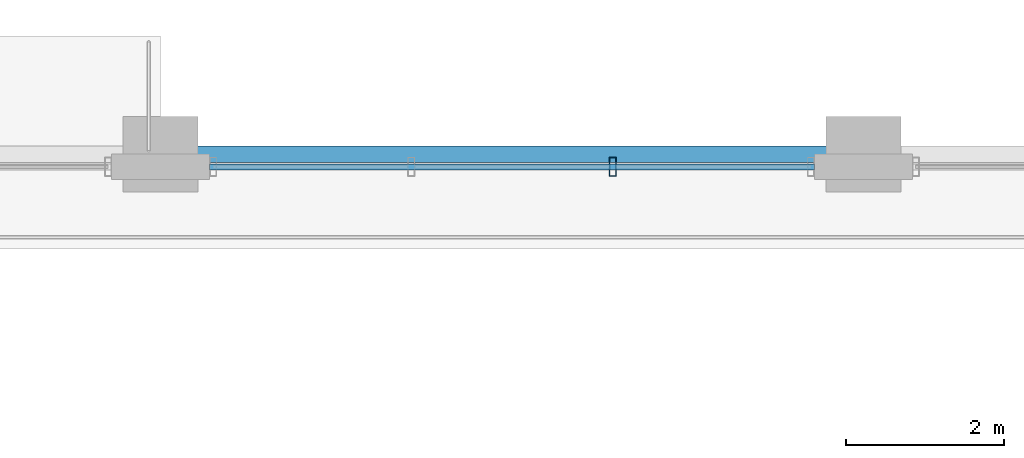
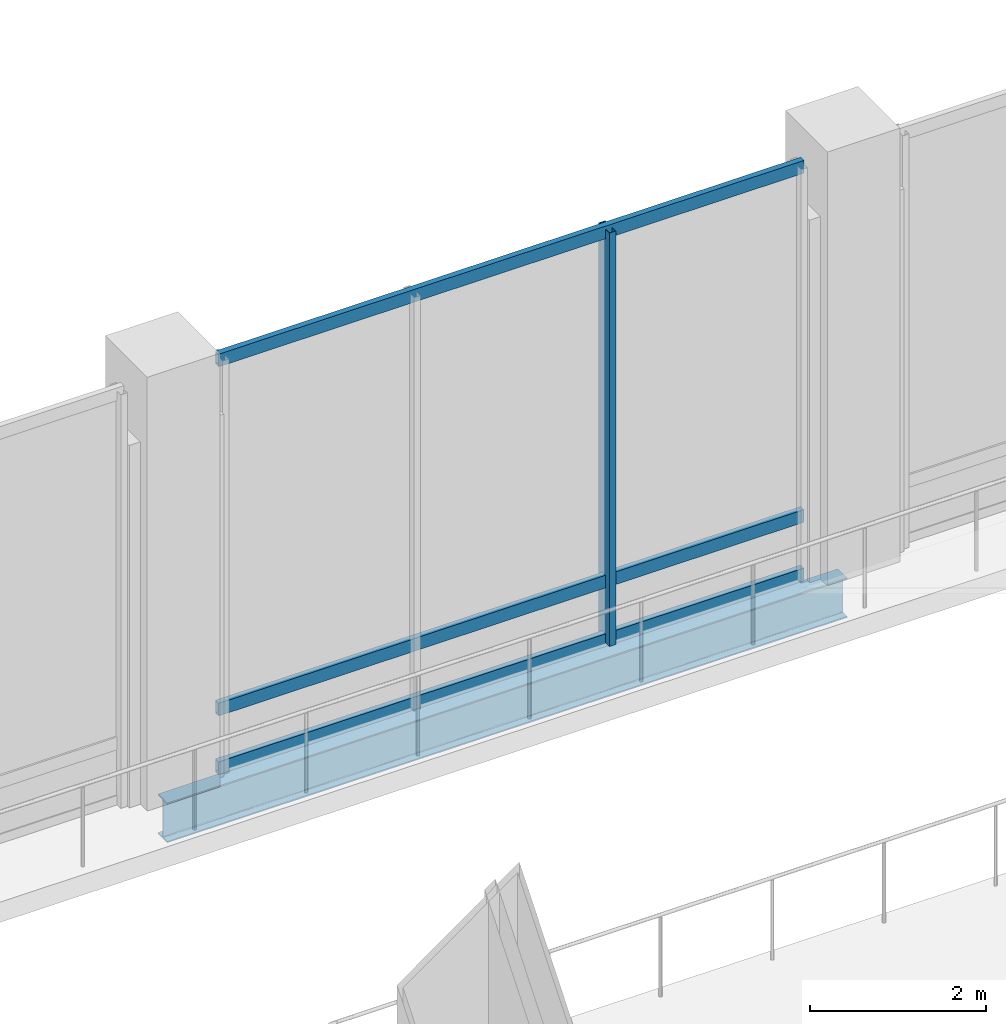
# One storey, part 13 of 32: 4 members, 1 beam, 1 element without a shape of its own.
"""IFC4 building model written with IfcOpenShell, lengths in metres."""

import ifcopenshell
import ifcopenshell.guid

model = None  # the IFC model being written
_history = None  # IfcOwnerHistory: only IFC2X3 demands one
_inside = {}  # id of a spatial element -> (the spatial element, [elements in it])
_under = {}  # id of a project, library or spatial element -> (it, [spatial elements below it])
_declared = {}  # id of a project -> (the project, [libraries it declares])
_typed = {}  # id of a type object -> (the type object, [elements of that type])
_made_of = {}  # id of a material, layer set ... -> (it, [elements and type objects made of it])


def new_model(schema):
    """Start an empty IFC model of exactly this schema.

    Asked for "IFC4X3", IfcOpenShell would pick the latest addendum, in which some entities
    have other attributes; the version numbers below select the first issue.
    IFC2X3 requires an IfcOwnerHistory on every rooted entity: one is made here for all.
    """
    global model, _history
    if schema == "IFC4X3":
        model = ifcopenshell.file(schema_version=(4, 3, 0, 0))
    else:
        model = ifcopenshell.file(schema=schema)
    _inside.clear()
    _under.clear()
    _declared.clear()
    _typed.clear()
    _made_of.clear()
    _history = None
    if model.schema == "IFC2X3":
        org = make("IfcOrganization", Name="unknown")
        user = make(
            "IfcPersonAndOrganization",
            ThePerson=make("IfcPerson", FamilyName="unknown"),
            TheOrganization=org,
        )
        app = make(
            "IfcApplication",
            ApplicationDeveloper=org,
            Version="unknown",
            ApplicationFullName="unknown",
            ApplicationIdentifier="unknown",
        )
        _history = make(
            "IfcOwnerHistory",
            OwningUser=user,
            OwningApplication=app,
            ChangeAction="ADDED",
            CreationDate=0,
        )
    return model


def make(cls, **values):
    """One entity of the class cls with the attributes given. An attribute that is None is left unset."""
    return model.create_entity(
        cls, **{name: value for name, value in values.items() if value is not None}
    )


def rooted(cls, **values):
    """An entity with a GlobalId (a new one), such as an element, a storey or a relation."""
    return make(cls, GlobalId=ifcopenshell.guid.new(), OwnerHistory=_history, **values)


def si_unit(unit_type, name, prefix=None):
    """IfcSIUnit, for example si_unit("LENGTHUNIT", "METRE", prefix="MILLI")."""
    return make("IfcSIUnit", UnitType=unit_type, Prefix=prefix, Name=name)


def assignment(units):
    """IfcUnitAssignment: the units of a project."""
    return None if units is None else make("IfcUnitAssignment", Units=units)


def point(xyz):
    """IfcCartesianPoint."""
    return None if xyz is None else make("IfcCartesianPoint", Coordinates=xyz)


def direction(xyz):
    """IfcDirection."""
    return None if xyz is None else make("IfcDirection", DirectionRatios=xyz)


def frame(location, z_axis=None, x_axis=None):
    """IfcAxis2Placement3D, a coordinate frame: its origin and axes. An axis left out is left unset."""
    return make(
        "IfcAxis2Placement3D",
        Location=point(location),
        Axis=direction(z_axis),
        RefDirection=direction(x_axis),
    )


def frame_2d(location, x_axis=None):
    """IfcAxis2Placement2D, a coordinate frame in the plane: its origin and x axis."""
    return make(
        "IfcAxis2Placement2D", Location=point(location), RefDirection=direction(x_axis)
    )


def origin():
    """The frame at (0, 0, 0) with its axes left unset."""
    return frame((0.0, 0.0, 0.0))


def origin_2d():
    """The frame at (0, 0) in the plane with its x axis left unset."""
    return frame_2d((0.0, 0.0))


def place(relative_to, where):
    """IfcLocalPlacement: puts the frame where relative to a parent placement (None: the world)."""
    return make(
        "IfcLocalPlacement", PlacementRelTo=relative_to, RelativePlacement=where
    )


def context(
    kind, dimensions, precision=None, world=None, true_north=None, identifier=None
):
    """IfcGeometricRepresentationContext, for example the 3D "Model" context."""
    return make(
        "IfcGeometricRepresentationContext",
        ContextIdentifier=identifier,
        ContextType=kind,
        CoordinateSpaceDimension=dimensions,
        Precision=precision,
        WorldCoordinateSystem=world,
        TrueNorth=true_north,
    )


def subcontext(parent, identifier, kind, view, scale=None):
    """IfcGeometricRepresentationSubContext, for example "Body" below "Model"."""
    return make(
        "IfcGeometricRepresentationSubContext",
        ContextIdentifier=identifier,
        ContextType=kind,
        ParentContext=parent,
        TargetScale=scale,
        TargetView=view,
    )


def project(units=None, contexts=None):
    """IfcProject with its units and contexts."""
    return rooted(
        "IfcProject",
        Name="project",
        RepresentationContexts=contexts,
        UnitsInContext=assignment(units),
    )


def spatial(cls, under=None, at=None, **own):
    """A site, building, storey or space (cls), placed at a placement, below another one or the project."""
    s = rooted(cls, ObjectPlacement=at, **own)
    if under is not None:
        _under.setdefault(under.id(), (under, []))[1].append(s)
    return s


def profile(cls, at=None, kind="AREA", **sizes):
    """A parametric profile (cls). Its sizes go by their IFC names, for example OverallWidth=200.0."""
    return make(cls, ProfileType=kind, Position=at, **sizes)


def hollow_rectangle(**sizes):
    """IfcRectangleHollowProfileDef."""
    return profile("IfcRectangleHollowProfileDef", **sizes)


def i_section(**sizes):
    """IfcIShapeProfileDef."""
    return profile("IfcIShapeProfileDef", **sizes)


def extrude(swept, where, along, depth):
    """IfcExtrudedAreaSolid: the profile swept, set in the frame where, extruded along a direction by depth."""
    return make(
        "IfcExtrudedAreaSolid",
        SweptArea=swept,
        Position=where,
        ExtrudedDirection=direction(along),
        Depth=depth,
    )


def shape(context_of_items, identifier, shape_type, items):
    """IfcShapeRepresentation: the items that make up one representation, for example the "Body"."""
    return make(
        "IfcShapeRepresentation",
        ContextOfItems=context_of_items,
        RepresentationIdentifier=identifier,
        RepresentationType=shape_type,
        Items=items,
    )


def material(Name=None, Category=None):
    """IfcMaterial."""
    return make("IfcMaterial", Name=Name, Category=Category)


def material_profile(
    of_material, cross_section, Name=None, Category=None, Priority=None
):
    """IfcMaterialProfile: a cross section and its material."""
    return make(
        "IfcMaterialProfile",
        Name=Name,
        Material=of_material,
        Profile=cross_section,
        Priority=Priority,
        Category=Category,
    )


def profile_set(profiles, Name=None, composite=None):
    """IfcMaterialProfileSet."""
    return make(
        "IfcMaterialProfileSet",
        Name=Name,
        MaterialProfiles=profiles,
        CompositeProfile=composite,
    )


def made_of(thing, what):
    """Note that an element or type object is made of a material, layer set ...; save() writes the relation."""
    if what is not None:
        _made_of.setdefault(what.id(), (what, []))[1].append(thing)
    return thing


def type_object(cls, material=None, **own):
    """A type object (cls), such as IfcWallType, which elements share."""
    return made_of(rooted(cls, **own), material)


def element(
    cls,
    number,
    at=None,
    inside=None,
    cuts=None,
    type_object=None,
    material=None,
    context=None,
    identifier="Body",
    shape_type=None,
    held_by="IfcProductDefinitionShape",
    body=None,
    shapes=None,
    **own,
):
    """One element of the class cls, such as IfcWall. Its Tag is "e" and its number.

    at: its placement. inside: the storey or other place that contains it. cuts: it is an
    opening in that element (IfcRelVoidsElement). A single representation is given by context,
    identifier, shape_type and body (its items); several are given by shapes. held_by: the class
    of the entity that holds the representations. save() writes the other relations.
    """
    e = rooted(cls, Tag="e%d" % number, ObjectPlacement=at, **own)
    if body is not None:
        shapes = [shape(context, identifier, shape_type, body)]
    if shapes is not None:
        e.Representation = make(held_by, Representations=shapes)
    if inside is not None:
        _inside.setdefault(inside.id(), (inside, []))[1].append(e)
    if cuts is not None:
        rooted(
            "IfcRelVoidsElement", RelatingBuildingElement=cuts, RelatedOpeningElement=e
        )
    if type_object is not None:
        _typed.setdefault(type_object.id(), (type_object, []))[1].append(e)
    return made_of(e, material)


def aggregate(whole, parts):
    """IfcRelAggregates: a whole, such as a stair, and the parts it consists of."""
    return rooted("IfcRelAggregates", RelatingObject=whole, RelatedObjects=parts)


def save(model, path):
    """Write the relations noted so far, then the file.

    IfcRelAggregates (storeys below a building ...), IfcRelContainedInSpatialStructure (elements
    in a storey), IfcRelDefinesByType, IfcRelAssociatesMaterial and IfcRelDeclares: one each for
    every whole, place, type object, material and project.
    """
    for whole, parts in _under.values():
        aggregate(whole, parts)
    for where, things in _inside.values():
        rooted(
            "IfcRelContainedInSpatialStructure",
            RelatedElements=things,
            RelatingStructure=where,
        )
    for kind, things in _typed.values():
        rooted("IfcRelDefinesByType", RelatedObjects=things, RelatingType=kind)
    for what, things in _made_of.values():
        rooted("IfcRelAssociatesMaterial", RelatedObjects=things, RelatingMaterial=what)
    for by, libraries in _declared.values():
        rooted("IfcRelDeclares", RelatingContext=by, RelatedDefinitions=libraries)
    model.write(path)


model = new_model("IFC4")

# Units and contexts
model_context = context("Model", 3, precision=1e-05, world=origin(), true_north=direction((0.0, 1.0)))
body_context = subcontext(model_context, "Body", "Model", "MODEL_VIEW")
ifc_project = project(units=[si_unit("LENGTHUNIT", "METRE"), si_unit("AREAUNIT", "SQUARE_METRE"), si_unit("VOLUMEUNIT", "CUBIC_METRE"), si_unit("PLANEANGLEUNIT", "RADIAN"), si_unit("MASSUNIT", "GRAM", prefix="KILO")], contexts=[model_context])

# Site, building, storey
site_placement = place(None, origin())
site = spatial("IfcSite", under=ifc_project, at=site_placement, CompositionType="ELEMENT")
building_placement = place(site_placement, origin())
building = spatial("IfcBuilding", under=site, at=building_placement, Name="Punatoya Terracotta Tower", CompositionType="ELEMENT")
storey_placement = place(building_placement, origin())
storey = spatial("IfcBuildingStorey", under=building, at=storey_placement, Name="L00", CompositionType="ELEMENT", Elevation=0.0)

# Beam
ifc_material_1 = material(Name="Steel S355", Category="steel")
ifc_material_profile_1 = material_profile(ifc_material_1, i_section(OverallWidth=0.2099609375, OverallDepth=0.550048828125, WebThickness=0.010986328125, FlangeThickness=0.01708984375, FilletRadius=0.01806640625, at=origin_2d()))
ifc_profile_set_1 = profile_set([ifc_material_profile_1], Name="Steel S355")
beam_type = type_object("IfcBeamType", Name="BM-SPN-550", PredefinedType="SPANDREL", material=ifc_profile_set_1)
beam_placement = place(storey_placement, frame((19.10009765625, 25.0, -0.554931640625), z_axis=(1.0, 0.0, 0.0), x_axis=(0.0, 1.0, 0.0)))
element("IfcBeam", 1, at=beam_placement, inside=storey, type_object=beam_type, Name="BM-L00-HE1", PredefinedType="SPANDREL", context=body_context, shape_type="SweptSolid", body=[
    extrude(i_section(OverallWidth=0.2099609375, OverallDepth=0.550048828125, WebThickness=0.010986328125, FlangeThickness=0.01708984375, FilletRadius=0.01806640625, at=origin_2d()), origin(), (0.0, 0.0, 1.0), 8.89990234375),
])

# Curtain wall, members
ifc_material_2 = material(Name="Aluminium 6063-T6 + Double Low-E Glass", Category="aluminium")
curtain_wall_type = type_object("IfcCurtainWallType", Name="CW-POD", PredefinedType="NOTDEFINED", material=ifc_material_2)
curtain_wall_placement = place(storey_placement, origin())
curtain_wall = element("IfcCurtainWall", 2, at=curtain_wall_placement, inside=storey, type_object=curtain_wall_type, Name="L00 Curtain Wall CWP-L00-N2-2", PredefinedType="NOTDEFINED")
ifc_material_3 = material(Name="Aluminium 6063-T6", Category="aluminium")
ifc_material_profile_2 = material_profile(ifc_material_3, hollow_rectangle(XDim=0.0849609375, YDim=0.239990234375, WallThickness=0.0048828125, at=origin_2d()))
ifc_profile_set_2 = profile_set([ifc_material_profile_2], Name="Aluminium 6063-T6")
member_type_1 = type_object("IfcMemberType", Name="CW-MUL-POD", PredefinedType="MULLION", material=ifc_profile_set_2)
member_1_placement = place(storey_placement, frame((24.82666015625, 24.840087890625, 0.0), z_axis=(0.0, 0.0, 1.0), x_axis=(1.0, 0.0, 0.0)))
member_1 = element("IfcMember", 3, at=member_1_placement, type_object=member_type_1, Name="CWP-L00-N2-2 Mullion 02", PredefinedType="MULLION", context=body_context, shape_type="SweptSolid", body=[
    extrude(hollow_rectangle(XDim=0.0849609375, YDim=0.239990234375, WallThickness=0.0048828125, at=origin_2d()), origin(), (0.0, 0.0, 1.0), 5.719970703125),
])
ifc_material_profile_3 = material_profile(ifc_material_3, hollow_rectangle(XDim=0.074951171875, YDim=0.175048828125, WallThickness=0.00439453125, at=origin_2d()))
ifc_profile_set_3 = profile_set([ifc_material_profile_3], Name="Aluminium 6063-T6")
member_type_2 = type_object("IfcMemberType", Name="CW-TRN-POD", PredefinedType="USERDEFINED", material=ifc_profile_set_3)
member_2_placement = place(storey_placement, frame((19.719970703125, 24.840087890625, 0.0400390625), z_axis=(1.0, 0.0, 0.0), x_axis=(0.0, 1.0, 0.0)))
member_2 = element("IfcMember", 4, at=member_2_placement, type_object=member_type_2, Name="CWP-L00-N2-2 Transom 1", ObjectType="TRANSOM", PredefinedType="USERDEFINED", context=body_context, shape_type="SweptSolid", body=[
    extrude(hollow_rectangle(XDim=0.074951171875, YDim=0.175048828125, WallThickness=0.00439453125, at=origin_2d()), origin(), (0.0, 0.0, 1.0), 7.659912109375),
])
member_3_placement = place(storey_placement, frame((19.719970703125, 24.840087890625, 0.85009765625), z_axis=(1.0, 0.0, 0.0), x_axis=(0.0, 1.0, 0.0)))
member_3 = element("IfcMember", 5, at=member_3_placement, type_object=member_type_2, Name="CWP-L00-N2-2 Transom 2", ObjectType="TRANSOM", PredefinedType="USERDEFINED", context=body_context, shape_type="SweptSolid", body=[
    extrude(hollow_rectangle(XDim=0.074951171875, YDim=0.175048828125, WallThickness=0.00439453125, at=origin_2d()), origin(), (0.0, 0.0, 1.0), 7.659912109375),
])
member_4_placement = place(storey_placement, frame((19.719970703125, 24.840087890625, 5.679931640625), z_axis=(1.0, 0.0, 0.0), x_axis=(0.0, 1.0, 0.0)))
member_4 = element("IfcMember", 6, at=member_4_placement, type_object=member_type_2, Name="CWP-L00-N2-2 Transom 3", ObjectType="TRANSOM", PredefinedType="USERDEFINED", context=body_context, shape_type="SweptSolid", body=[
    extrude(hollow_rectangle(XDim=0.074951171875, YDim=0.175048828125, WallThickness=0.00439453125, at=origin_2d()), origin(), (0.0, 0.0, 1.0), 7.659912109375),
])
aggregate(curtain_wall, [member_1, member_2, member_3, member_4])

save(model, "model.ifc")
